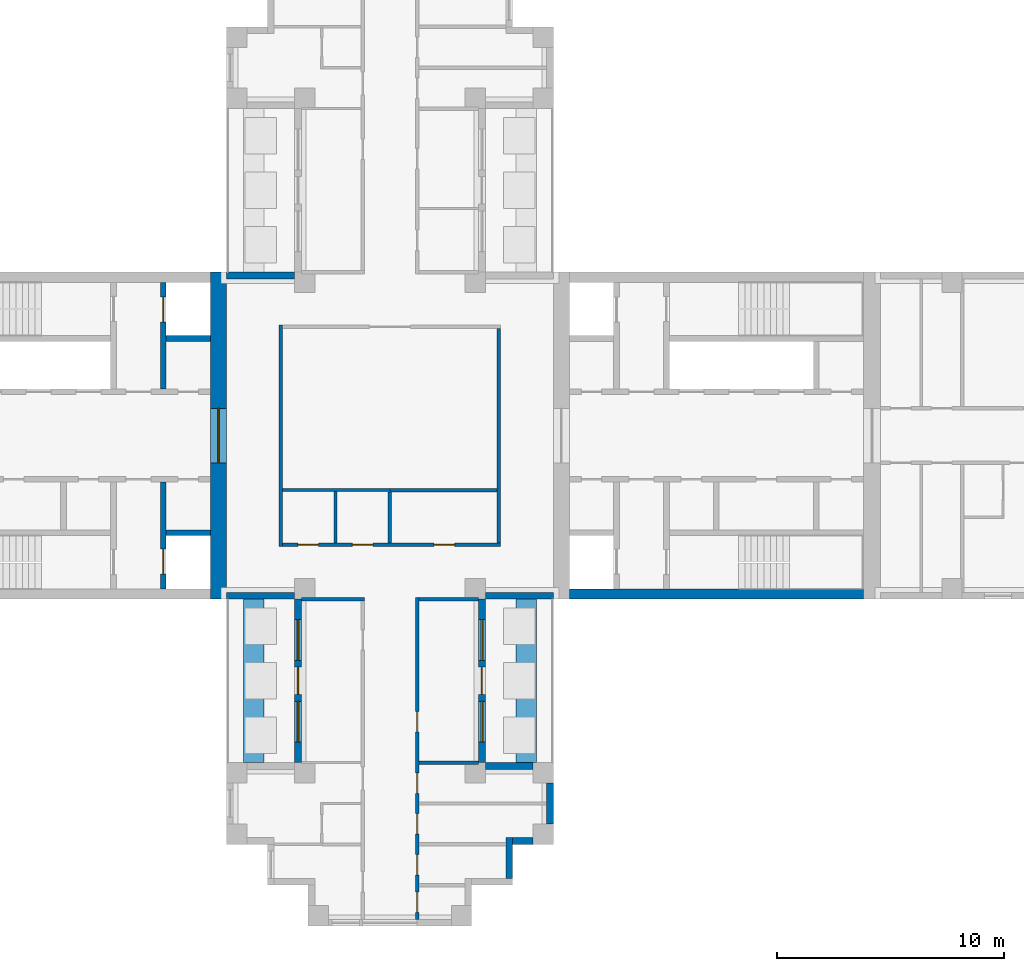
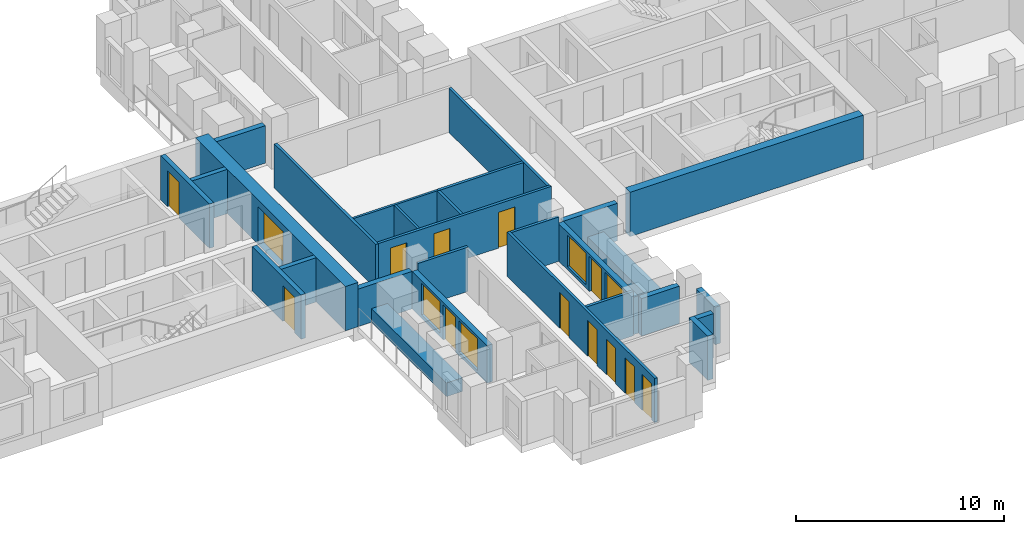
# One storey, part 5 of 11: 28 walls, 13 doors, 4 windows, 17 openings.
"""IFC4 building model written with IfcOpenShell, lengths in metres."""

from ifc_helpers import new_model, si_unit, direction, frame, frame_2d, origin, place, context, subcontext, project, spatial, rectangle, extrude, material, layer, layer_set, type_object, element, fill, save


model = new_model("IFC4")

# Units and contexts
model_context = context("Model", 3, precision=1e-05, world=origin(), true_north=direction((0.0, 1.0)))
body_context = subcontext(model_context, "Body", "Model", "MODEL_VIEW")
ifc_project = project(units=[si_unit("LENGTHUNIT", "METRE"), si_unit("AREAUNIT", "SQUARE_METRE"), si_unit("VOLUMEUNIT", "CUBIC_METRE"), si_unit("PLANEANGLEUNIT", "RADIAN"), si_unit("MASSUNIT", "GRAM", prefix="KILO")], contexts=[model_context])

# Site, building, storey
site_placement = place(None, origin())
site = spatial("IfcSite", under=ifc_project, at=site_placement, CompositionType="ELEMENT")
building_placement = place(site_placement, origin())
building = spatial("IfcBuilding", under=site, at=building_placement, Name="Fustian Cross Tower", CompositionType="ELEMENT")
storey_placement = place(building_placement, frame((0.0, 0.0, 123.300048828125)))
storey = spatial("IfcBuildingStorey", under=building, at=storey_placement, Name="L38", CompositionType="ELEMENT", Elevation=123.300048828125)

# Wall
ifc_material_1 = material(Name="Plasterboard on steel stud", Category="steel")
ifc_layer_1 = layer(ifc_material_1, 0.14990234375)
ifc_layer_set_1 = layer_set([ifc_layer_1], Name="Plasterboard on steel stud")
wall_type_1 = type_object("IfcWallType", Name="COMPARTMENT WALL 150 EI 60", PredefinedType="PARTITIONING", material=ifc_layer_set_1)
wall_1_placement = place(storey_placement, frame((-4.800048828125, -4.875, 0.0), z_axis=(0.0, 0.0, 1.0), x_axis=(0.0, 1.0, 0.0)))
element("IfcWall", 1, at=wall_1_placement, inside=storey, type_object=wall_type_1, Name="Partition 17", PredefinedType="PARTITIONING", context=body_context, shape_type="SweptSolid", body=[
    extrude(rectangle(XDim=9.75, YDim=0.14990234375, at=frame_2d((4.875, 0.0))), origin(), (0.0, 0.0, 1.0), 2.599853515625),
])

# Wall, openings, doors
wall_2_placement = place(storey_placement, frame((-4.72509765625, -4.800048828125, 0.0), z_axis=(0.0, 0.0, 1.0), x_axis=(1.0, 0.0, 0.0)))
wall_2 = element("IfcWall", 2, at=wall_2_placement, inside=storey, type_object=wall_type_1, Name="Partition 18", PredefinedType="PARTITIONING", context=body_context, shape_type="SweptSolid", body=[
    extrude(rectangle(XDim=9.60009765625, YDim=0.14990234375, at=frame_2d((4.800048828125, 0.0))), origin(), (0.0, 0.0, 1.0), 2.599853515625),
])
opening_1_placement = place(wall_2_placement, frame((0.675048828125, 0.0, 0.0)))
opening_1 = element("IfcOpeningElement", 3, at=opening_1_placement, cuts=wall_2, Name="Opening D18001", PredefinedType="OPENING", context=body_context, shape_type="SweptSolid", body=[
    extrude(rectangle(XDim=0.89990234375, YDim=2.10009765625, at=frame_2d((0.449951171875, 1.050048828125))), frame((0.0, 0.0849609375, 0.0), z_axis=(0.0, -1.0, 0.0), x_axis=(1.0, 0.0, 0.0)), (0.0, 0.0, 1.0), 0.169921875),
])
opening_2_placement = place(wall_2_placement, frame((3.074951171875, 0.0, 0.0)))
opening_2 = element("IfcOpeningElement", 4, at=opening_2_placement, cuts=wall_2, Name="Opening D18002", PredefinedType="OPENING", context=body_context, shape_type="SweptSolid", body=[
    extrude(rectangle(XDim=0.89990234375, YDim=2.10009765625, at=frame_2d((0.449951171875, 1.050048828125))), frame((0.0, 0.0849609375, 0.0), z_axis=(0.0, -1.0, 0.0), x_axis=(1.0, 0.0, 0.0)), (0.0, 0.0, 1.0), 0.169921875),
])
opening_3_placement = place(wall_2_placement, frame((6.675048828125, 0.0, 0.0)))
opening_3 = element("IfcOpeningElement", 5, at=opening_3_placement, cuts=wall_2, Name="Opening D18003", PredefinedType="OPENING", context=body_context, shape_type="SweptSolid", body=[
    extrude(rectangle(XDim=0.89990234375, YDim=2.10009765625, at=frame_2d((0.449951171875, 1.050048828125))), frame((0.0, 0.0849609375, 0.0), z_axis=(0.0, -1.0, 0.0), x_axis=(1.0, 0.0, 0.0)), (0.0, 0.0, 1.0), 0.169921875),
])
ifc_material_2 = material(Name="Timber fire door set", Category="wood")
door_type_1 = type_object("IfcDoorType", Name="FIRE SWING DOOR 900 FD30S", OperationType="SINGLE_SWING_LEFT", PredefinedType="DOOR", material=ifc_material_2)
door_1_placement = place(opening_1_placement, origin())
door_1 = element("IfcDoor", 6, at=door_1_placement, inside=storey, type_object=door_type_1, Name="Door D18001", OperationType="SINGLE_SWING_LEFT", OverallHeight=2.10009765625, OverallWidth=0.89990234375, PredefinedType="DOOR", context=body_context, shape_type="SweptSolid", body=[
    extrude(rectangle(XDim=0.89990234375, YDim=2.10009765625, at=frame_2d((0.449951171875, 1.050048828125))), frame((0.0, 0.02490234375, 0.0), z_axis=(0.0, -1.0, 0.0), x_axis=(1.0, 0.0, 0.0)), (0.0, 0.0, 1.0), 0.050048828125),
])
fill(opening_1, door_1)
door_2_placement = place(opening_2_placement, origin())
door_2 = element("IfcDoor", 7, at=door_2_placement, inside=storey, type_object=door_type_1, Name="Door D18002", OperationType="SINGLE_SWING_LEFT", OverallHeight=2.10009765625, OverallWidth=0.89990234375, PredefinedType="DOOR", context=body_context, shape_type="SweptSolid", body=[
    extrude(rectangle(XDim=0.89990234375, YDim=2.10009765625, at=frame_2d((0.449951171875, 1.050048828125))), frame((0.0, 0.02490234375, 0.0), z_axis=(0.0, -1.0, 0.0), x_axis=(1.0, 0.0, 0.0)), (0.0, 0.0, 1.0), 0.050048828125),
])
fill(opening_2, door_2)
door_3_placement = place(opening_3_placement, origin())
door_3 = element("IfcDoor", 8, at=door_3_placement, inside=storey, type_object=door_type_1, Name="Door D18003", OperationType="SINGLE_SWING_LEFT", OverallHeight=2.10009765625, OverallWidth=0.89990234375, PredefinedType="DOOR", context=body_context, shape_type="SweptSolid", body=[
    extrude(rectangle(XDim=0.89990234375, YDim=2.10009765625, at=frame_2d((0.449951171875, 1.050048828125))), frame((0.0, 0.02490234375, 0.0), z_axis=(0.0, -1.0, 0.0), x_axis=(1.0, 0.0, 0.0)), (0.0, 0.0, 1.0), 0.050048828125),
])
fill(opening_3, door_3)

# Walls
wall_3_placement = place(storey_placement, frame((-3.89990234375, -7.199951171875, 0.0), z_axis=(0.0, 0.0, 1.0), x_axis=(1.0, 0.0, 0.0)))
element("IfcWall", 9, at=wall_3_placement, inside=storey, type_object=wall_type_1, Name="Partition 22", PredefinedType="PARTITIONING", context=body_context, shape_type="SweptSolid", body=[
    extrude(rectangle(XDim=2.77490234375, YDim=0.14990234375, at=frame_2d((1.387451171875, 0.0))), origin(), (0.0, 0.0, 1.0), 2.599853515625),
])
wall_4_placement = place(storey_placement, frame((0.0, -4.72509765625, 0.0), z_axis=(0.0, 0.0, 1.0), x_axis=(0.0, 1.0, 0.0)))
element("IfcWall", 10, at=wall_4_placement, inside=storey, type_object=wall_type_1, Name="Partition 34", PredefinedType="PARTITIONING", context=body_context, shape_type="SweptSolid", body=[
    extrude(rectangle(XDim=2.25, YDim=0.14990234375, at=frame_2d((1.125, 0.0))), origin(), (0.0, 0.0, 1.0), 2.599853515625),
])
wall_5_placement = place(storey_placement, frame((0.0, -2.39990234375, 0.0), z_axis=(0.0, 0.0, 1.0), x_axis=(1.0, 0.0, 0.0)))
element("IfcWall", 11, at=wall_5_placement, inside=storey, type_object=wall_type_1, Name="Partition 35", PredefinedType="PARTITIONING", context=body_context, shape_type="SweptSolid", body=[
    extrude(rectangle(XDim=4.72509765625, YDim=0.14990234375, at=frame_2d((2.362548828125, 0.0))), origin(), (0.0, 0.0, 1.0), 2.599853515625),
])

# Wall, openings, doors
wall_6_placement = place(storey_placement, frame((1.199951171875, -21.300048828125, 0.0), z_axis=(0.0, 0.0, 1.0), x_axis=(0.0, 1.0, 0.0)))
wall_6 = element("IfcWall", 12, at=wall_6_placement, inside=storey, type_object=wall_type_1, Name="Partition 36", PredefinedType="PARTITIONING", context=body_context, shape_type="SweptSolid", body=[
    extrude(rectangle(XDim=14.175048828125, YDim=0.14990234375, at=frame_2d((7.08740234375, 0.0))), origin(), (0.0, 0.0, 1.0), 2.599853515625),
])
opening_4_placement = place(wall_6_placement, frame((8.25, 0.0, 0.0)))
opening_4 = element("IfcOpeningElement", 13, at=opening_4_placement, cuts=wall_6, Name="Opening D18033", PredefinedType="OPENING", context=body_context, shape_type="SweptSolid", body=[
    extrude(rectangle(XDim=0.89990234375, YDim=2.10009765625, at=frame_2d((0.449951171875, 1.050048828125))), frame((0.0, 0.0849609375, 0.0), z_axis=(0.0, -1.0, 0.0), x_axis=(1.0, 0.0, 0.0)), (0.0, 0.0, 1.0), 0.169921875),
])
opening_5_placement = place(wall_6_placement, frame((5.550048828125, 0.0, 0.0)))
opening_5 = element("IfcOpeningElement", 14, at=opening_5_placement, cuts=wall_6, Name="Opening D18034", PredefinedType="OPENING", context=body_context, shape_type="SweptSolid", body=[
    extrude(rectangle(XDim=0.89990234375, YDim=2.10009765625, at=frame_2d((0.449951171875, 1.050048828125))), frame((0.0, 0.0849609375, 0.0), z_axis=(0.0, -1.0, 0.0), x_axis=(1.0, 0.0, 0.0)), (0.0, 0.0, 1.0), 0.169921875),
])
opening_6_placement = place(wall_6_placement, frame((3.75, 0.0, 0.0)))
opening_6 = element("IfcOpeningElement", 15, at=opening_6_placement, cuts=wall_6, Name="Opening D18035", PredefinedType="OPENING", context=body_context, shape_type="SweptSolid", body=[
    extrude(rectangle(XDim=0.89990234375, YDim=2.10009765625, at=frame_2d((0.449951171875, 1.050048828125))), frame((0.0, 0.0849609375, 0.0), z_axis=(0.0, -1.0, 0.0), x_axis=(1.0, 0.0, 0.0)), (0.0, 0.0, 1.0), 0.169921875),
])
opening_7_placement = place(wall_6_placement, frame((1.949951171875, 0.0, 0.0)))
opening_7 = element("IfcOpeningElement", 16, at=opening_7_placement, cuts=wall_6, Name="Opening D18036", PredefinedType="OPENING", context=body_context, shape_type="SweptSolid", body=[
    extrude(rectangle(XDim=0.89990234375, YDim=2.10009765625, at=frame_2d((0.449951171875, 1.050048828125))), frame((0.0, 0.0849609375, 0.0), z_axis=(0.0, -1.0, 0.0), x_axis=(1.0, 0.0, 0.0)), (0.0, 0.0, 1.0), 0.169921875),
])
opening_8_placement = place(wall_6_placement, frame((0.300048828125, 0.0, 0.0)))
opening_8 = element("IfcOpeningElement", 17, at=opening_8_placement, cuts=wall_6, Name="Opening D18037", PredefinedType="OPENING", context=body_context, shape_type="SweptSolid", body=[
    extrude(rectangle(XDim=0.89990234375, YDim=2.10009765625, at=frame_2d((0.449951171875, 1.050048828125))), frame((0.0, 0.0849609375, 0.0), z_axis=(0.0, -1.0, 0.0), x_axis=(1.0, 0.0, 0.0)), (0.0, 0.0, 1.0), 0.169921875),
])
door_4_placement = place(opening_4_placement, frame((0.89990234375, 0.0, 0.0), z_axis=(0.0, 0.0, 1.0), x_axis=(-1.0, 0.0, 0.0)))
door_4 = element("IfcDoor", 18, at=door_4_placement, inside=storey, type_object=door_type_1, Name="Door D18033", OperationType="SINGLE_SWING_RIGHT", OverallHeight=2.10009765625, OverallWidth=0.89990234375, PredefinedType="DOOR", context=body_context, shape_type="SweptSolid", body=[
    extrude(rectangle(XDim=0.89990234375, YDim=2.10009765625, at=frame_2d((0.449951171875, 1.050048828125))), frame((0.0, 0.02490234375, 0.0), z_axis=(0.0, -1.0, 0.0), x_axis=(1.0, 0.0, 0.0)), (0.0, 0.0, 1.0), 0.050048828125),
])
fill(opening_4, door_4)
door_5_placement = place(opening_5_placement, origin())
door_5 = element("IfcDoor", 19, at=door_5_placement, inside=storey, type_object=door_type_1, Name="Door D18034", OperationType="SINGLE_SWING_LEFT", OverallHeight=2.10009765625, OverallWidth=0.89990234375, PredefinedType="DOOR", context=body_context, shape_type="SweptSolid", body=[
    extrude(rectangle(XDim=0.89990234375, YDim=2.10009765625, at=frame_2d((0.449951171875, 1.050048828125))), frame((0.0, 0.02490234375, 0.0), z_axis=(0.0, -1.0, 0.0), x_axis=(1.0, 0.0, 0.0)), (0.0, 0.0, 1.0), 0.050048828125),
])
fill(opening_5, door_5)
door_6_placement = place(opening_6_placement, frame((0.89990234375, 0.0, 0.0), z_axis=(0.0, 0.0, 1.0), x_axis=(-1.0, 0.0, 0.0)))
door_6 = element("IfcDoor", 20, at=door_6_placement, inside=storey, type_object=door_type_1, Name="Door D18035", OperationType="SINGLE_SWING_LEFT", OverallHeight=2.10009765625, OverallWidth=0.89990234375, PredefinedType="DOOR", context=body_context, shape_type="SweptSolid", body=[
    extrude(rectangle(XDim=0.89990234375, YDim=2.10009765625, at=frame_2d((0.449951171875, 1.050048828125))), frame((0.0, 0.02490234375, 0.0), z_axis=(0.0, -1.0, 0.0), x_axis=(1.0, 0.0, 0.0)), (0.0, 0.0, 1.0), 0.050048828125),
])
fill(opening_6, door_6)
door_7_placement = place(opening_7_placement, frame((0.89990234375, 0.0, 0.0), z_axis=(0.0, 0.0, 1.0), x_axis=(-1.0, 0.0, 0.0)))
door_7 = element("IfcDoor", 21, at=door_7_placement, inside=storey, type_object=door_type_1, Name="Door D18036", OperationType="SINGLE_SWING_LEFT", OverallHeight=2.10009765625, OverallWidth=0.89990234375, PredefinedType="DOOR", context=body_context, shape_type="SweptSolid", body=[
    extrude(rectangle(XDim=0.89990234375, YDim=2.10009765625, at=frame_2d((0.449951171875, 1.050048828125))), frame((0.0, 0.02490234375, 0.0), z_axis=(0.0, -1.0, 0.0), x_axis=(1.0, 0.0, 0.0)), (0.0, 0.0, 1.0), 0.050048828125),
])
fill(opening_7, door_7)
door_8_placement = place(opening_8_placement, frame((0.89990234375, 0.0, 0.0), z_axis=(0.0, 0.0, 1.0), x_axis=(-1.0, 0.0, 0.0)))
door_8 = element("IfcDoor", 22, at=door_8_placement, inside=storey, type_object=door_type_1, Name="Door D18037", OperationType="SINGLE_SWING_RIGHT", OverallHeight=2.10009765625, OverallWidth=0.89990234375, PredefinedType="DOOR", context=body_context, shape_type="SweptSolid", body=[
    extrude(rectangle(XDim=0.89990234375, YDim=2.10009765625, at=frame_2d((0.449951171875, 1.050048828125))), frame((0.0, 0.02490234375, 0.0), z_axis=(0.0, -1.0, 0.0), x_axis=(1.0, 0.0, 0.0)), (0.0, 0.0, 1.0), 0.050048828125),
])
fill(opening_8, door_8)

# Walls
for number, where, z_axis, x_axis, name in (
    (23, (1.27490234375, -14.39990234375, 0.0), (0.0, 0.0, 1.0), (1.0, 0.0, 0.0), "Partition 40"),
    (24, (1.27490234375, -7.199951171875, 0.0), (0.0, 0.0, 1.0), (1.0, 0.0, 0.0), "Partition 41"),
):
    element("IfcWall", number, at=place(storey_placement, frame(where, z_axis=z_axis, x_axis=x_axis)), inside=storey, type_object=wall_type_1, Name=name, PredefinedType="PARTITIONING", context=body_context, shape_type="SweptSolid", body=[
        extrude(rectangle(XDim=2.625, YDim=0.14990234375, at=frame_2d((1.3125, 0.0))), origin(), (0.0, 0.0, 1.0), 2.599853515625),
    ])
wall_7_placement = place(storey_placement, frame((4.800048828125, -4.72509765625, 0.0), z_axis=(0.0, 0.0, 1.0), x_axis=(0.0, 1.0, 0.0)))
element("IfcWall", 25, at=wall_7_placement, inside=storey, type_object=wall_type_1, Name="Partition 48", PredefinedType="PARTITIONING", context=body_context, shape_type="SweptSolid", body=[
    extrude(rectangle(XDim=9.4501953125, YDim=0.14990234375, at=frame_2d((4.72509765625, 0.0))), origin(), (0.0, 0.0, 1.0), 2.599853515625),
])

# Wall, opening, door
ifc_material_3 = material(Name="Concrete C60/75", Category="concrete")
ifc_layer_2 = layer(ifc_material_3, 0.699951171875)
ifc_layer_set_2 = layer_set([ifc_layer_2], Name="Concrete C60/75")
wall_type_2 = type_object("IfcWallType", Name="CORE END WALL 700 C60/75", PredefinedType="SHEAR", material=ifc_layer_set_2)
wall_8_placement = place(storey_placement, frame((-7.550048828125, -7.199951171875, 0.0), z_axis=(0.0, 0.0, 1.0), x_axis=(0.0, 1.0, 0.0)))
wall_8 = element("IfcWall", 26, at=wall_8_placement, inside=storey, type_object=wall_type_2, Name="Core end wall", PredefinedType="SHEAR", context=body_context, shape_type="SweptSolid", body=[
    extrude(rectangle(XDim=14.39990234375, YDim=0.699951171875, at=frame_2d((7.199951171875, 0.0))), origin(), (0.0, 0.0, 1.0), 2.599853515625),
])
opening_9_placement = place(wall_8_placement, frame((6.0, 0.0, 0.0)))
opening_9 = element("IfcOpeningElement", 27, at=opening_9_placement, cuts=wall_8, Name="Opening CD-16-29", PredefinedType="OPENING", context=body_context, shape_type="SweptSolid", body=[
    extrude(rectangle(XDim=2.39990234375, YDim=2.199951171875, at=frame_2d((1.199951171875, 1.10009765625))), frame((0.0, 0.35986328125, 0.0), z_axis=(0.0, -1.0, 0.0), x_axis=(1.0, 0.0, 0.0)), (0.0, 0.0, 1.0), 0.719970703125),
])
ifc_material_4 = material(Name="Steel", Category="steel")
door_type_2 = type_object("IfcDoorType", Name="FIRE DOOR FD30S DOUBLE 2400X2200", OperationType="DOUBLE_DOOR_DOUBLE_SWING", PredefinedType="DOOR", material=ifc_material_4)
door_9_placement = place(opening_9_placement, origin())
door_9 = element("IfcDoor", 28, at=door_9_placement, inside=storey, type_object=door_type_2, Name="Core door CD-16-29", OperationType="DOUBLE_DOOR_DOUBLE_SWING", OverallHeight=2.199951171875, OverallWidth=2.39990234375, PredefinedType="DOOR", context=body_context, shape_type="SweptSolid", body=[
    extrude(rectangle(XDim=2.39990234375, YDim=2.199951171875, at=frame_2d((1.199951171875, 1.10009765625))), frame((0.0, 0.02490234375, 0.0), z_axis=(0.0, -1.0, 0.0), x_axis=(1.0, 0.0, 0.0)), (0.0, 0.0, 1.0), 0.050048828125),
])
fill(opening_9, door_9)

# Walls
ifc_material_5 = material(Name="Concrete C60/75", Category="concrete")
ifc_layer_3 = layer(ifc_material_5, 0.449951171875)
ifc_layer_set_3 = layer_set([ifc_layer_3], Name="Concrete C60/75")
wall_type_3 = type_object("IfcWallType", Name="CORE FACADE WALL 450 C60/75", PredefinedType="SHEAR", material=ifc_layer_set_3)
wall_9_placement = place(storey_placement, frame((7.89990234375, -6.97509765625, 0.0), z_axis=(0.0, 0.0, 1.0), x_axis=(1.0, 0.0, 0.0)))
element("IfcWall", 29, at=wall_9_placement, inside=storey, type_object=wall_type_3, Name="Core facade wall", PredefinedType="SHEAR", context=body_context, shape_type="SweptSolid", body=[
    extrude(rectangle(XDim=12.9501953125, YDim=0.449951171875, at=frame_2d((6.47509765625, 0.0))), origin(), (0.0, 0.0, 1.0), 2.599853515625),
])
ifc_material_6 = material(Name="Concrete C50/60", Category="concrete")
ifc_layer_4 = layer(ifc_material_6, 0.25)
ifc_layer_set_4 = layer_set([ifc_layer_4], Name="Concrete C50/60")
wall_type_4 = type_object("IfcWallType", Name="CORE SHAFT WALL 250 C50/60", PredefinedType="SHEAR", material=ifc_layer_set_4)
wall_10_placement = place(storey_placement, frame((-7.89990234375, 4.27490234375, 0.0), z_axis=(0.0, 0.0, 1.0), x_axis=(-1.0, 0.0, 0.0)))
element("IfcWall", 30, at=wall_10_placement, inside=storey, type_object=wall_type_4, Name="Core shaft wall", PredefinedType="SHEAR", context=body_context, shape_type="SweptSolid", body=[
    extrude(rectangle(XDim=1.9501953125, YDim=0.25, at=frame_2d((0.97509765625, 0.0))), origin(), (0.0, 0.0, 1.0), 2.599853515625),
])

# Wall, opening, door
wall_11_placement = place(storey_placement, frame((-9.97509765625, 2.050048828125, 0.0), z_axis=(0.0, 0.0, 1.0), x_axis=(0.0, 1.0, 0.0)))
wall_11 = element("IfcWall", 31, at=wall_11_placement, inside=storey, type_object=wall_type_4, Name="Core shaft wall", PredefinedType="SHEAR", context=body_context, shape_type="SweptSolid", body=[
    extrude(rectangle(XDim=4.699951171875, YDim=0.25, at=frame_2d((2.35009765625, 0.0))), origin(), (0.0, 0.0, 1.0), 2.599853515625),
])
opening_10_placement = place(wall_11_placement, frame((2.949951171875, 0.0, 0.0)))
opening_10 = element("IfcOpeningElement", 32, at=opening_10_placement, cuts=wall_11, Name="Opening LD", PredefinedType="OPENING", context=body_context, shape_type="SweptSolid", body=[
    extrude(rectangle(XDim=1.10009765625, YDim=2.10009765625, at=frame_2d((0.550048828125, 1.050048828125))), frame((0.0, 0.135009765625, 0.0), z_axis=(0.0, -1.0, 0.0), x_axis=(1.0, 0.0, 0.0)), (0.0, 0.0, 1.0), 0.27001953125),
])
ifc_material_7 = material(Name="Stainless steel", Category="steel")
door_type_3 = type_object("IfcDoorType", Name="LIFT LANDING DOOR 1100X2100", OperationType="SLIDING_TO_LEFT", PredefinedType="DOOR", material=ifc_material_7)
door_10_placement = place(opening_10_placement, origin())
door_10 = element("IfcDoor", 33, at=door_10_placement, inside=storey, type_object=door_type_3, Name="Landing door FL1W", OperationType="SLIDING_TO_LEFT", OverallHeight=2.10009765625, OverallWidth=1.10009765625, PredefinedType="DOOR", context=body_context, shape_type="SweptSolid", body=[
    extrude(rectangle(XDim=1.10009765625, YDim=2.10009765625, at=frame_2d((0.550048828125, 1.050048828125))), frame((0.0, 0.02490234375, 0.0), z_axis=(0.0, -1.0, 0.0), x_axis=(1.0, 0.0, 0.0)), (0.0, 0.0, 1.0), 0.050048828125),
])
fill(opening_10, door_10)

# Wall
wall_12_placement = place(storey_placement, frame((-7.89990234375, -4.27490234375, 0.0), z_axis=(0.0, 0.0, 1.0), x_axis=(-1.0, 0.0, 0.0)))
element("IfcWall", 34, at=wall_12_placement, inside=storey, type_object=wall_type_4, Name="Core shaft wall", PredefinedType="SHEAR", context=body_context, shape_type="SweptSolid", body=[
    extrude(rectangle(XDim=1.9501953125, YDim=0.25, at=frame_2d((0.97509765625, 0.0))), origin(), (0.0, 0.0, 1.0), 2.599853515625),
])

# Wall, opening, door
wall_13_placement = place(storey_placement, frame((-9.97509765625, -2.050048828125, 0.0), z_axis=(0.0, 0.0, 1.0), x_axis=(0.0, -1.0, 0.0)))
wall_13 = element("IfcWall", 35, at=wall_13_placement, inside=storey, type_object=wall_type_4, Name="Core shaft wall", PredefinedType="SHEAR", context=body_context, shape_type="SweptSolid", body=[
    extrude(rectangle(XDim=4.699951171875, YDim=0.25, at=frame_2d((2.35009765625, 0.0))), origin(), (0.0, 0.0, 1.0), 2.599853515625),
])
opening_11_placement = place(wall_13_placement, frame((2.949951171875, 0.0, 0.0)))
opening_11 = element("IfcOpeningElement", 36, at=opening_11_placement, cuts=wall_13, Name="Opening LD", PredefinedType="OPENING", context=body_context, shape_type="SweptSolid", body=[
    extrude(rectangle(XDim=1.10009765625, YDim=2.10009765625, at=frame_2d((0.550048828125, 1.050048828125))), frame((0.0, 0.135009765625, 0.0), z_axis=(0.0, -1.0, 0.0), x_axis=(1.0, 0.0, 0.0)), (0.0, 0.0, 1.0), 0.27001953125),
])
door_11_placement = place(opening_11_placement, origin())
door_11 = element("IfcDoor", 37, at=door_11_placement, inside=storey, type_object=door_type_3, Name="Landing door SV1W", OperationType="SLIDING_TO_LEFT", OverallHeight=2.10009765625, OverallWidth=1.10009765625, PredefinedType="DOOR", context=body_context, shape_type="SweptSolid", body=[
    extrude(rectangle(XDim=1.10009765625, YDim=2.10009765625, at=frame_2d((0.550048828125, 1.050048828125))), frame((0.0, 0.02490234375, 0.0), z_axis=(0.0, -1.0, 0.0), x_axis=(1.0, 0.0, 0.0)), (0.0, 0.0, 1.0), 0.050048828125),
])
fill(opening_11, door_11)

# Walls
ifc_material_8 = material(Name="Concrete C40/50", Category="concrete")
ifc_layer_5 = layer(ifc_material_8, 0.89990234375)
ifc_layer_set_5 = layer_set([ifc_layer_5], Name="Concrete C40/50")
wall_type_5 = type_object("IfcWallType", Name="PK1 PLANTER 900", PredefinedType="PARAPET", material=ifc_layer_set_5)
for number, where, z_axis, x_axis, name in (
    (38, (6.0, -14.39990234375, 0.0), (0.0, 0.0, 1.0), (0.0, 1.0, 0.0), "PLANTER"),
    (39, (-6.0, -14.39990234375, 0.0), (0.0, 0.0, 1.0), (0.0, 1.0, 0.0), "PLANTER"),
):
    element("IfcWall", number, at=place(storey_placement, frame(where, z_axis=z_axis, x_axis=x_axis)), inside=storey, type_object=wall_type_5, Name=name, PredefinedType="PARAPET", context=body_context, shape_type="SweptSolid", body=[
        extrude(rectangle(XDim=7.199951171875, YDim=0.89990234375, at=frame_2d((3.60009765625, 0.0))), origin(), (0.0, 0.0, 1.0), 0.800048828125),
    ])
ifc_material_9 = material(Name="Plasterboard on steel stud", Category="steel")
ifc_layer_6 = layer(ifc_material_9, 0.125)
ifc_layer_set_6 = layer_set([ifc_layer_6], Name="Plasterboard on steel stud")
wall_type_6 = type_object("IfcWallType", Name="WET WALL 125 STUD", PredefinedType="PARTITIONING", material=ifc_layer_set_6)
wall_14_placement = place(storey_placement, frame((-4.72509765625, -2.39990234375, 0.0), z_axis=(0.0, 0.0, 1.0), x_axis=(1.0, 0.0, 0.0)))
element("IfcWall", 40, at=wall_14_placement, inside=storey, type_object=wall_type_6, Name="Partition 19", PredefinedType="PARTITIONING", context=body_context, shape_type="SweptSolid", body=[
    extrude(rectangle(XDim=4.72509765625, YDim=0.125, at=frame_2d((2.362548828125, 0.0))), origin(), (0.0, 0.0, 1.0), 2.599853515625),
])
wall_15_placement = place(storey_placement, frame((-2.39990234375, -4.72509765625, 0.0), z_axis=(0.0, 0.0, 1.0), x_axis=(0.0, 1.0, 0.0)))
element("IfcWall", 41, at=wall_15_placement, inside=storey, type_object=wall_type_6, Name="Partition 31", PredefinedType="PARTITIONING", context=body_context, shape_type="SweptSolid", body=[
    extrude(rectangle(XDim=2.2626953125, YDim=0.125, at=frame_2d((1.13134765625, 0.0))), origin(), (0.0, 0.0, 1.0), 2.599853515625),
])
ifc_material_10 = material(Name="Dark aluminium cladding on insulated backing wall", Category="aluminium")
ifc_layer_7 = layer(ifc_material_10, 0.300048828125)
ifc_layer_set_7 = layer_set([ifc_layer_7], Name="Dark aluminium cladding on insulated backing wall")
wall_type_7 = type_object("IfcWallType", Name="XW1 EXTERNAL WALL 300", PredefinedType="SOLIDWALL", material=ifc_layer_set_7)
for number, where, z_axis, x_axis, name in (
    (42, (-4.199951171875, 7.050048828125, 0.0), (0.0, 0.0, 1.0), (-1.0, 0.0, 0.0), "External wall"),
    (43, (-7.199951171875, -7.050048828125, 0.0), (0.0, 0.0, 1.0), (1.0, 0.0, 0.0), "External wall"),
):
    element("IfcWall", number, at=place(storey_placement, frame(where, z_axis=z_axis, x_axis=x_axis)), inside=storey, type_object=wall_type_7, Name=name, PredefinedType="SOLIDWALL", context=body_context, shape_type="SweptSolid", body=[
        extrude(rectangle(XDim=3.0, YDim=0.300048828125, at=frame_2d((1.5, 0.0))), origin(), (0.0, 0.0, 1.0), 2.199951171875),
    ])

# Wall, openings, door, windows
wall_16_placement = place(storey_placement, frame((-4.050048828125, -7.199951171875, 0.0), z_axis=(0.0, 0.0, 1.0), x_axis=(0.0, -1.0, 0.0)))
wall_16 = element("IfcWall", 44, at=wall_16_placement, inside=storey, type_object=wall_type_7, Name="External wall", PredefinedType="SOLIDWALL", context=body_context, shape_type="SweptSolid", body=[
    extrude(rectangle(XDim=7.199951171875, YDim=0.300048828125, at=frame_2d((3.60009765625, 0.0))), origin(), (0.0, 0.0, 1.0), 2.199951171875),
])
opening_12_placement = place(wall_16_placement, frame((3.0, 0.0, 0.0)))
opening_12 = element("IfcOpeningElement", 45, at=opening_12_placement, cuts=wall_16, Name="Opening XD4", PredefinedType="OPENING", context=body_context, shape_type="SweptSolid", body=[
    extrude(rectangle(XDim=1.199951171875, YDim=2.050048828125, at=frame_2d((0.60009765625, 1.02490234375))), frame((0.0, 0.159912109375, 0.0), z_axis=(0.0, -1.0, 0.0), x_axis=(1.0, 0.0, 0.0)), (0.0, 0.0, 1.0), 0.320068359375),
])
opening_13_placement = place(wall_16_placement, frame((0.89990234375, 0.0, 0.199951171875)))
opening_13 = element("IfcOpeningElement", 46, at=opening_13_placement, cuts=wall_16, Name="Opening WN2", PredefinedType="OPENING", context=body_context, shape_type="SweptSolid", body=[
    extrude(rectangle(XDim=1.800048828125, YDim=1.85009765625, at=frame_2d((0.89990234375, 0.925048828125))), frame((0.0, 0.159912109375, 0.0), z_axis=(0.0, -1.0, 0.0), x_axis=(1.0, 0.0, 0.0)), (0.0, 0.0, 1.0), 0.320068359375),
])
opening_14_placement = place(wall_16_placement, frame((4.5, 0.0, 0.199951171875)))
opening_14 = element("IfcOpeningElement", 47, at=opening_14_placement, cuts=wall_16, Name="Opening WN2", PredefinedType="OPENING", context=body_context, shape_type="SweptSolid", body=[
    extrude(rectangle(XDim=1.800048828125, YDim=1.85009765625, at=frame_2d((0.89990234375, 0.925048828125))), frame((0.0, 0.159912109375, 0.0), z_axis=(0.0, -1.0, 0.0), x_axis=(1.0, 0.0, 0.0)), (0.0, 0.0, 1.0), 0.320068359375),
])
ifc_material_11 = material(Name="Dark anodised aluminium and double glazing", Category="aluminium")
door_type_4 = type_object("IfcDoorType", Name="ED1 BALCONY DOOR 1200X2050", OperationType="SINGLE_SWING_LEFT", PredefinedType="DOOR", material=ifc_material_11)
door_12_placement = place(opening_12_placement, origin())
door_12 = element("IfcDoor", 48, at=door_12_placement, inside=storey, type_object=door_type_4, Name="Balcony door", OperationType="SINGLE_SWING_LEFT", OverallHeight=2.050048828125, OverallWidth=1.199951171875, PredefinedType="DOOR", context=body_context, shape_type="SweptSolid", body=[
    extrude(rectangle(XDim=1.199951171875, YDim=2.050048828125, at=frame_2d((0.60009765625, 1.02490234375))), frame((0.0, 0.02490234375, 0.0), z_axis=(0.0, -1.0, 0.0), x_axis=(1.0, 0.0, 0.0)), (0.0, 0.0, 1.0), 0.050048828125),
])
fill(opening_12, door_12)
ifc_material_12 = material(Name="Dark anodised aluminium and double glazing", Category="aluminium")
window_type = type_object("IfcWindowType", Name="WN2 WINDOW 1800X1850", PartitioningType="SINGLE_PANEL", PredefinedType="WINDOW", material=ifc_material_12)
window_1_placement = place(opening_13_placement, origin())
window_1 = element("IfcWindow", 49, at=window_1_placement, inside=storey, type_object=window_type, Name="Window", OverallHeight=1.85009765625, OverallWidth=1.800048828125, PartitioningType="SINGLE_PANEL", PredefinedType="WINDOW", context=body_context, shape_type="SweptSolid", body=[
    extrude(rectangle(XDim=1.800048828125, YDim=1.85009765625, at=frame_2d((0.89990234375, 0.925048828125))), frame((0.0, 0.030029296875, 0.0), z_axis=(0.0, -1.0, 0.0), x_axis=(1.0, 0.0, 0.0)), (0.0, 0.0, 1.0), 0.06005859375),
])
fill(opening_13, window_1)
window_2_placement = place(opening_14_placement, origin())
window_2 = element("IfcWindow", 50, at=window_2_placement, inside=storey, type_object=window_type, Name="Window", OverallHeight=1.85009765625, OverallWidth=1.800048828125, PartitioningType="SINGLE_PANEL", PredefinedType="WINDOW", context=body_context, shape_type="SweptSolid", body=[
    extrude(rectangle(XDim=1.800048828125, YDim=1.85009765625, at=frame_2d((0.89990234375, 0.925048828125))), frame((0.0, 0.030029296875, 0.0), z_axis=(0.0, -1.0, 0.0), x_axis=(1.0, 0.0, 0.0)), (0.0, 0.0, 1.0), 0.06005859375),
])
fill(opening_14, window_2)

# Walls
wall_17_placement = place(storey_placement, frame((5.25, -19.5, 0.0), z_axis=(0.0, 0.0, 1.0), x_axis=(0.0, 1.0, 0.0)))
element("IfcWall", 51, at=wall_17_placement, inside=storey, type_object=wall_type_7, Name="External wall", PredefinedType="SOLIDWALL", context=body_context, shape_type="SweptSolid", body=[
    extrude(rectangle(XDim=1.800048828125, YDim=0.300048828125, at=frame_2d((0.89990234375, 0.0))), origin(), (0.0, 0.0, 1.0), 2.599853515625),
])
wall_18_placement = place(storey_placement, frame((5.39990234375, -17.85009765625, 0.0), z_axis=(0.0, 0.0, 1.0), x_axis=(1.0, 0.0, 0.0)))
element("IfcWall", 52, at=wall_18_placement, inside=storey, type_object=wall_type_7, Name="External wall", PredefinedType="SOLIDWALL", context=body_context, shape_type="SweptSolid", body=[
    extrude(rectangle(XDim=0.900146484375, YDim=0.300048828125, at=frame_2d((0.4501953125, 0.0))), origin(), (0.0, 0.0, 1.0), 2.599853515625),
])
wall_19_placement = place(storey_placement, frame((7.050048828125, -17.10009765625, 0.0), z_axis=(0.0, 0.0, 1.0), x_axis=(0.0, 1.0, 0.0)))
element("IfcWall", 53, at=wall_19_placement, inside=storey, type_object=wall_type_7, Name="External wall", PredefinedType="SOLIDWALL", context=body_context, shape_type="SweptSolid", body=[
    extrude(rectangle(XDim=1.800048828125, YDim=0.300048828125, at=frame_2d((0.89990234375, 0.0))), origin(), (0.0, 0.0, 1.0), 2.199951171875),
])
wall_20_placement = place(storey_placement, frame((6.300048828125, -14.550048828125, 0.0), z_axis=(0.0, 0.0, 1.0), x_axis=(-1.0, 0.0, 0.0)))
element("IfcWall", 54, at=wall_20_placement, inside=storey, type_object=wall_type_7, Name="External wall", PredefinedType="SOLIDWALL", context=body_context, shape_type="SweptSolid", body=[
    extrude(rectangle(XDim=2.10009765625, YDim=0.300048828125, at=frame_2d((1.050048828125, 0.0))), origin(), (0.0, 0.0, 1.0), 2.199951171875),
])

# Wall, openings, door, windows
wall_21_placement = place(storey_placement, frame((4.050048828125, -14.39990234375, 0.0), z_axis=(0.0, 0.0, 1.0), x_axis=(0.0, 1.0, 0.0)))
wall_21 = element("IfcWall", 55, at=wall_21_placement, inside=storey, type_object=wall_type_7, Name="External wall", PredefinedType="SOLIDWALL", context=body_context, shape_type="SweptSolid", body=[
    extrude(rectangle(XDim=7.199951171875, YDim=0.300048828125, at=frame_2d((3.60009765625, 0.0))), origin(), (0.0, 0.0, 1.0), 2.199951171875),
])
opening_15_placement = place(wall_21_placement, frame((3.0, 0.0, 0.0)))
opening_15 = element("IfcOpeningElement", 56, at=opening_15_placement, cuts=wall_21, Name="Opening XD3", PredefinedType="OPENING", context=body_context, shape_type="SweptSolid", body=[
    extrude(rectangle(XDim=1.199951171875, YDim=2.050048828125, at=frame_2d((0.60009765625, 1.02490234375))), frame((0.0, 0.159912109375, 0.0), z_axis=(0.0, -1.0, 0.0), x_axis=(1.0, 0.0, 0.0)), (0.0, 0.0, 1.0), 0.320068359375),
])
opening_16_placement = place(wall_21_placement, frame((0.89990234375, 0.0, 0.199951171875)))
opening_16 = element("IfcOpeningElement", 57, at=opening_16_placement, cuts=wall_21, Name="Opening WN2", PredefinedType="OPENING", context=body_context, shape_type="SweptSolid", body=[
    extrude(rectangle(XDim=1.800048828125, YDim=1.85009765625, at=frame_2d((0.89990234375, 0.925048828125))), frame((0.0, 0.159912109375, 0.0), z_axis=(0.0, -1.0, 0.0), x_axis=(1.0, 0.0, 0.0)), (0.0, 0.0, 1.0), 0.320068359375),
])
opening_17_placement = place(wall_21_placement, frame((4.5, 0.0, 0.199951171875)))
opening_17 = element("IfcOpeningElement", 58, at=opening_17_placement, cuts=wall_21, Name="Opening WN2", PredefinedType="OPENING", context=body_context, shape_type="SweptSolid", body=[
    extrude(rectangle(XDim=1.800048828125, YDim=1.85009765625, at=frame_2d((0.89990234375, 0.925048828125))), frame((0.0, 0.159912109375, 0.0), z_axis=(0.0, -1.0, 0.0), x_axis=(1.0, 0.0, 0.0)), (0.0, 0.0, 1.0), 0.320068359375),
])
door_13_placement = place(opening_15_placement, origin())
door_13 = element("IfcDoor", 59, at=door_13_placement, inside=storey, type_object=door_type_4, Name="Balcony door", OperationType="SINGLE_SWING_LEFT", OverallHeight=2.050048828125, OverallWidth=1.199951171875, PredefinedType="DOOR", context=body_context, shape_type="SweptSolid", body=[
    extrude(rectangle(XDim=1.199951171875, YDim=2.050048828125, at=frame_2d((0.60009765625, 1.02490234375))), frame((0.0, 0.02490234375, 0.0), z_axis=(0.0, -1.0, 0.0), x_axis=(1.0, 0.0, 0.0)), (0.0, 0.0, 1.0), 0.050048828125),
])
fill(opening_15, door_13)
window_3_placement = place(opening_16_placement, origin())
window_3 = element("IfcWindow", 60, at=window_3_placement, inside=storey, type_object=window_type, Name="Window", OverallHeight=1.85009765625, OverallWidth=1.800048828125, PartitioningType="SINGLE_PANEL", PredefinedType="WINDOW", context=body_context, shape_type="SweptSolid", body=[
    extrude(rectangle(XDim=1.800048828125, YDim=1.85009765625, at=frame_2d((0.89990234375, 0.925048828125))), frame((0.0, 0.030029296875, 0.0), z_axis=(0.0, -1.0, 0.0), x_axis=(1.0, 0.0, 0.0)), (0.0, 0.0, 1.0), 0.06005859375),
])
fill(opening_16, window_3)
window_4_placement = place(opening_17_placement, origin())
window_4 = element("IfcWindow", 61, at=window_4_placement, inside=storey, type_object=window_type, Name="Window", OverallHeight=1.85009765625, OverallWidth=1.800048828125, PartitioningType="SINGLE_PANEL", PredefinedType="WINDOW", context=body_context, shape_type="SweptSolid", body=[
    extrude(rectangle(XDim=1.800048828125, YDim=1.85009765625, at=frame_2d((0.89990234375, 0.925048828125))), frame((0.0, 0.030029296875, 0.0), z_axis=(0.0, -1.0, 0.0), x_axis=(1.0, 0.0, 0.0)), (0.0, 0.0, 1.0), 0.06005859375),
])
fill(opening_17, window_4)

# Wall
wall_22_placement = place(storey_placement, frame((4.199951171875, -7.050048828125, 0.0), z_axis=(0.0, 0.0, 1.0), x_axis=(1.0, 0.0, 0.0)))
element("IfcWall", 62, at=wall_22_placement, inside=storey, type_object=wall_type_7, Name="External wall", PredefinedType="SOLIDWALL", context=body_context, shape_type="SweptSolid", body=[
    extrude(rectangle(XDim=3.0, YDim=0.300048828125, at=frame_2d((1.5, 0.0))), origin(), (0.0, 0.0, 1.0), 2.199951171875),
])

save(model, "model.ifc")
